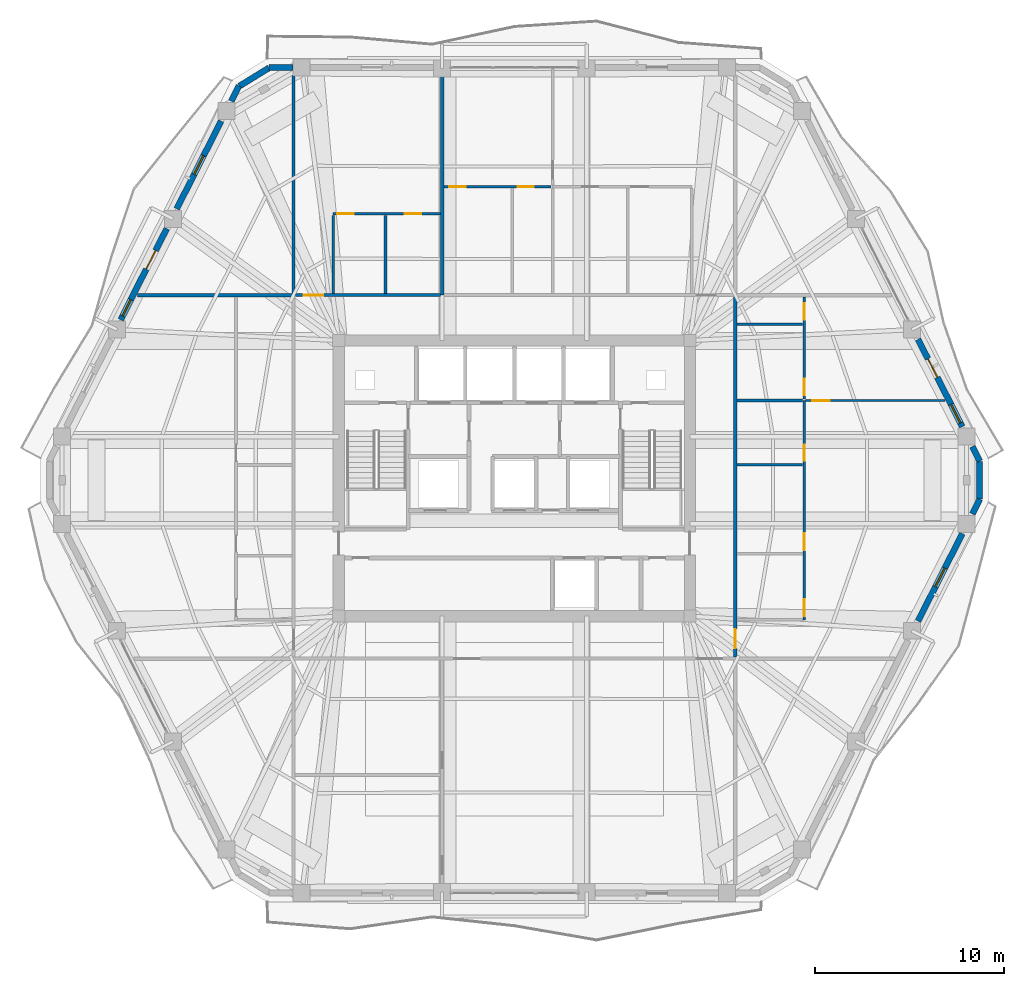
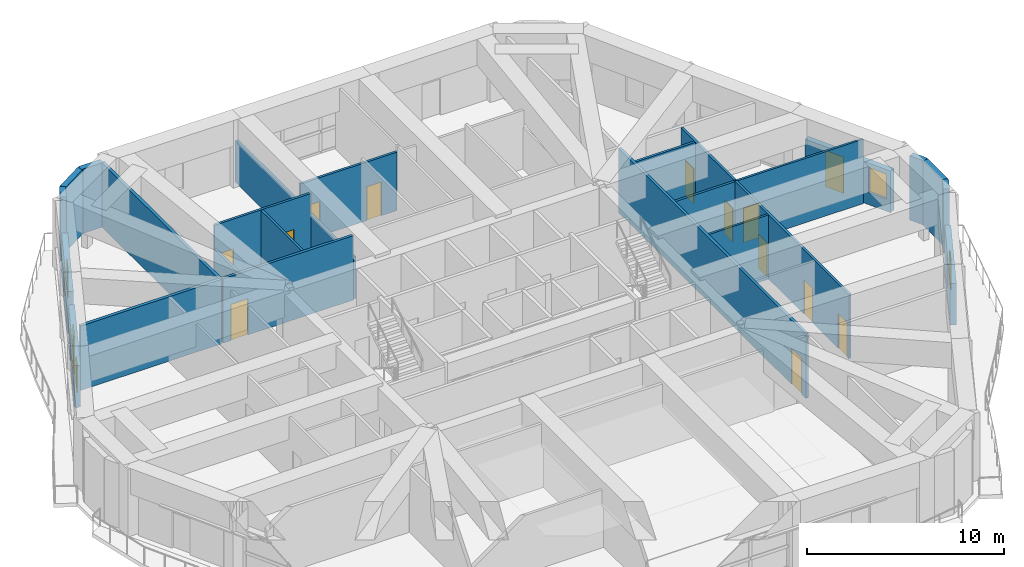
# One storey, part 15 of 20: 25 walls, 14 doors, 4 windows, 18 openings.
"""IFC4 building model written with IfcOpenShell, lengths in metres."""

from ifc_helpers import new_model, si_unit, direction, frame, frame_2d, origin, place, context, subcontext, project, spatial, rectangle, extrude, material, layer, layer_set, type_object, element, fill, save


model = new_model("IFC4")

# Units and contexts
model_context = context("Model", 3, precision=1e-05, world=origin(), true_north=direction((0.0, 1.0)))
body_context = subcontext(model_context, "Body", "Model", "MODEL_VIEW")
ifc_project = project(units=[si_unit("LENGTHUNIT", "METRE"), si_unit("AREAUNIT", "SQUARE_METRE"), si_unit("VOLUMEUNIT", "CUBIC_METRE"), si_unit("PLANEANGLEUNIT", "RADIAN"), si_unit("MASSUNIT", "GRAM", prefix="KILO")], contexts=[model_context])

# Site, building, storey
site_placement = place(None, origin())
site = spatial("IfcSite", under=ifc_project, at=site_placement, CompositionType="ELEMENT")
building_placement = place(site_placement, origin())
building = spatial("IfcBuilding", under=site, at=building_placement, Name="Cinnabar Lancet Tower", CompositionType="ELEMENT")
storey_placement = place(building_placement, frame((0.0, 0.0, 167.699951171875)))
storey = spatial("IfcBuildingStorey", under=building, at=storey_placement, Name="L44", CompositionType="ELEMENT", Elevation=167.699951171875)

# Wall, opening, door
ifc_material_1 = material(Name="Acoustic twin-stud gypsum partition", Category="gypsum")
ifc_layer_1 = layer(ifc_material_1, 0.159912109375)
ifc_layer_set_1 = layer_set([ifc_layer_1], Name="Acoustic twin-stud gypsum partition")
wall_type_1 = type_object("IfcWallType", Name="ARC-WL-CORR-160", PredefinedType="PARTITIONING", material=ifc_layer_set_1)
wall_1_placement = place(storey_placement, frame((20.794921875, 35.60009765625, 0.0), z_axis=(0.0, 0.0, 1.0), x_axis=(1.0, 0.0, 0.0)))
wall_1 = element("IfcWall", 1, at=wall_1_placement, inside=storey, type_object=wall_type_1, Name="L44 Unit N01 Corridor Wall", PredefinedType="PARTITIONING", context=body_context, shape_type="SweptSolid", body=[
    extrude(rectangle(XDim=7.677978515625, YDim=0.159912109375, at=frame_2d((3.8388671875, 0.0))), origin(), (0.0, 0.0, 1.0), 4.0),
])
opening_1_placement = place(wall_1_placement, frame((0.455078125, 0.0, 0.0)))
opening_1 = element("IfcOpeningElement", 2, at=opening_1_placement, cuts=wall_1, Name="Opening UD-01", PredefinedType="OPENING", context=body_context, shape_type="SweptSolid", body=[
    extrude(rectangle(XDim=1.02001953125, YDim=2.25, at=frame_2d((0.510009765625, 1.125))), frame((0.0, 0.08984375, 0.0), z_axis=(0.0, -1.0, 0.0), x_axis=(1.0, 0.0, 0.0)), (0.0, 0.0, 1.0), 0.179931640625),
])
ifc_material_2 = material(Name="Solid timber fire-rated apartment entrance door", Category="wood")
door_type_1 = type_object("IfcDoorType", Name="ARC-DR-UNIT", OperationType="NOTDEFINED", PredefinedType="DOOR", material=ifc_material_2)
door_1_placement = place(opening_1_placement, origin())
door_1 = element("IfcDoor", 3, at=door_1_placement, inside=storey, type_object=door_type_1, Name="DR-L44-N01-ENT", OperationType="SINGLE_SWING_LEFT", OverallHeight=2.25, OverallWidth=1.02001953125, PredefinedType="DOOR", context=body_context, shape_type="SweptSolid", body=[
    extrude(rectangle(XDim=1.02001953125, YDim=2.25, at=frame_2d((0.510009765625, 1.125))), frame((0.0, 0.02490234375, 0.0), z_axis=(0.0, -1.0, 0.0), x_axis=(1.0, 0.0, 0.0)), (0.0, 0.0, 1.0), 0.050048828125),
])
fill(opening_1, door_1)

wall_2_placement = place(storey_placement, frame((44.10009765625, 16.445068359375, 0.0), z_axis=(0.0, 0.0, 1.0), x_axis=(0.0, 1.0, 0.0)))
wall_2 = element("IfcWall", 4, at=wall_2_placement, inside=storey, type_object=wall_type_1, Name="UW-L44-E01-COR", PredefinedType="PARTITIONING", context=body_context, shape_type="SweptSolid", body=[
    extrude(rectangle(XDim=19.059814453125, YDim=0.159912109375, at=frame_2d((9.52978515625, 0.0))), origin(), (0.0, 0.0, 1.0), 4.0),
])
opening_2_placement = place(wall_2_placement, frame((0.449951171875, 0.0, 0.0)))
opening_2 = element("IfcOpeningElement", 5, at=opening_2_placement, cuts=wall_2, Name="Opening UD-01", PredefinedType="OPENING", context=body_context, shape_type="SweptSolid", body=[
    extrude(rectangle(XDim=1.02001953125, YDim=2.25, at=frame_2d((0.510009765625, 1.125))), frame((0.0, 0.08984375, 0.0), z_axis=(0.0, -1.0, 0.0), x_axis=(1.0, 0.0, 0.0)), (0.0, 0.0, 1.0), 0.179931640625),
])
door_2_placement = place(opening_2_placement, origin())
door_2 = element("IfcDoor", 6, at=door_2_placement, inside=storey, type_object=door_type_1, Name="DR-L44-E01-ENT", OperationType="SINGLE_SWING_RIGHT", OverallHeight=2.25, OverallWidth=1.02001953125, PredefinedType="DOOR", context=body_context, shape_type="SweptSolid", body=[
    extrude(rectangle(XDim=1.02001953125, YDim=2.25, at=frame_2d((0.510009765625, 1.125))), frame((0.0, 0.02490234375, 0.0), z_axis=(0.0, -1.0, 0.0), x_axis=(1.0, 0.0, 0.0)), (0.0, 0.0, 1.0), 0.050048828125),
])
fill(opening_2, door_2)

# Walls
ifc_material_3 = material(Name="Fire-rated twin-frame acoustic drywall", Category="gypsum")
ifc_layer_2 = layer(ifc_material_3, 0.179931640625)
ifc_layer_set_2 = layer_set([ifc_layer_2], Name="Fire-rated twin-frame acoustic drywall")
wall_type_2 = type_object("IfcWallType", Name="ARC-WL-PARTY-180", PredefinedType="PARTITIONING", material=ifc_layer_set_2)
wall_3_placement = place(storey_placement, frame((20.699951171875, 35.60009765625, 0.0), z_axis=(0.0, 0.0, 1.0), x_axis=(0.0, 1.0, 0.0)))
element("IfcWall", 7, at=wall_3_placement, inside=storey, type_object=wall_type_2, Name="PW-L44-NPTY-207", PredefinedType="PARTITIONING", context=body_context, shape_type="SweptSolid", body=[
    extrude(rectangle(XDim=11.98486328125, YDim=0.179931640625, at=frame_2d((5.992431640625, 0.0))), origin(), (0.0, 0.0, 1.0), 4.0),
])
wall_4_placement = place(storey_placement, frame((28.568115234375, 35.60009765625, 0.0), z_axis=(0.0, 0.0, 1.0), x_axis=(0.0, 1.0, 0.0)))
element("IfcWall", 8, at=wall_4_placement, inside=storey, type_object=wall_type_2, Name="PW-L44-NPTY-286", PredefinedType="PARTITIONING", context=body_context, shape_type="SweptSolid", body=[
    extrude(rectangle(XDim=11.98486328125, YDim=0.179931640625, at=frame_2d((5.992431640625, 0.0))), origin(), (0.0, 0.0, 1.0), 2.590087890625),
])
wall_5_placement = place(storey_placement, frame((12.427001953125, 35.60009765625, 0.0), z_axis=(0.0, 0.0, 1.0), x_axis=(1.0, 0.0, 0.0)))
element("IfcWall", 9, at=wall_5_placement, inside=storey, type_object=wall_type_2, Name="PW-L44-WNB", PredefinedType="PARTITIONING", context=body_context, shape_type="SweptSolid", body=[
    extrude(rectangle(XDim=8.27294921875, YDim=0.179931640625, at=frame_2d((4.136474609375, 0.0))), origin(), (0.0, 0.0, 1.0), 4.0),
])
ifc_material_4 = material(Name="Gypsum plasterboard stud partition", Category="gypsum")
ifc_layer_3 = layer(ifc_material_4, 0.125)
ifc_layer_set_3 = layer_set([ifc_layer_3], Name="Gypsum plasterboard stud partition")
wall_type_3 = type_object("IfcWallType", Name="ARC-WL-UNIT-125", PredefinedType="PARTITIONING", material=ifc_layer_set_3)
wall_6_placement = place(storey_placement, frame((22.800048828125, 35.68505859375, 0.0), z_axis=(0.0, 0.0, 1.0), x_axis=(0.0, 1.0, 0.0)))
element("IfcWall", 10, at=wall_6_placement, inside=storey, type_object=wall_type_3, Name="UW-L44-N01-FOYE", PredefinedType="PARTITIONING", context=body_context, shape_type="SweptSolid", body=[
    extrude(rectangle(XDim=4.125, YDim=0.125, at=frame_2d((2.0625, 0.0))), origin(), (0.0, 0.0, 1.0), 2.590087890625),
])

# Wall, opening, door
wall_7_placement = place(storey_placement, frame((47.824951171875, 30.02001953125, 0.0), z_axis=(0.0, 0.0, 1.0), x_axis=(1.0, 0.0, 0.0)))
wall_7 = element("IfcWall", 11, at=wall_7_placement, inside=storey, type_object=wall_type_3, Name="UW-L44-E01-MBN", PredefinedType="PARTITIONING", context=body_context, shape_type="SweptSolid", body=[
    extrude(rectangle(XDim=7.3759765625, YDim=0.125, at=frame_2d((3.68798828125, 0.0))), origin(), (0.0, 0.0, 1.0), 4.0),
])
opening_3_placement = place(wall_7_placement, frame((0.35009765625, 0.0, 0.0)))
opening_3 = element("IfcOpeningElement", 12, at=opening_3_placement, cuts=wall_7, Name="Opening RD-01", PredefinedType="OPENING", context=body_context, shape_type="SweptSolid", body=[
    extrude(rectangle(XDim=0.919921875, YDim=2.14990234375, at=frame_2d((0.4599609375, 1.074951171875))), frame((0.0, 0.072509765625, 0.0), z_axis=(0.0, -1.0, 0.0), x_axis=(1.0, 0.0, 0.0)), (0.0, 0.0, 1.0), 0.14501953125),
])
ifc_material_5 = material(Name="Engineered timber bedroom door", Category="wood")
door_type_2 = type_object("IfcDoorType", Name="ARC-DR-ROOM", OperationType="NOTDEFINED", PredefinedType="DOOR", material=ifc_material_5)
door_3_placement = place(opening_3_placement, origin())
door_3 = element("IfcDoor", 13, at=door_3_placement, inside=storey, type_object=door_type_2, Name="DR-L44-E01-MBD", OperationType="SINGLE_SWING_RIGHT", OverallHeight=2.14990234375, OverallWidth=0.919921875, PredefinedType="DOOR", context=body_context, shape_type="SweptSolid", body=[
    extrude(rectangle(XDim=0.919921875, YDim=2.14990234375, at=frame_2d((0.4599609375, 1.074951171875))), frame((0.0, 0.02490234375, 0.0), z_axis=(0.0, -1.0, 0.0), x_axis=(1.0, 0.0, 0.0)), (0.0, 0.0, 1.0), 0.050048828125),
])
fill(opening_3, door_3)

# Wall
wall_8_placement = place(storey_placement, frame((44.18505859375, 26.6201171875, 0.0), z_axis=(0.0, 0.0, 1.0), x_axis=(1.0, 0.0, 0.0)))
element("IfcWall", 14, at=wall_8_placement, inside=storey, type_object=wall_type_3, Name="UW-L44-E01-UDV", PredefinedType="PARTITIONING", context=body_context, shape_type="SweptSolid", body=[
    extrude(rectangle(XDim=3.47998046875, YDim=0.125, at=frame_2d((1.739990234375, 0.0))), origin(), (0.0, 0.0, 1.0), 4.0),
])

# Wall, openings, doors
ifc_material_6 = material(Name="Moisture-resistant cement-board plumbing wall", Category="masonry")
ifc_layer_4 = layer(ifc_material_6, 0.139892578125)
ifc_layer_set_4 = layer_set([ifc_layer_4], Name="Moisture-resistant cement-board plumbing wall")
wall_type_4 = type_object("IfcWallType", Name="ARC-WL-WET-140", PredefinedType="PLUMBINGWALL", material=ifc_layer_set_4)
wall_9_placement = place(storey_placement, frame((22.800048828125, 39.9150390625, 0.0), z_axis=(0.0, 0.0, 1.0), x_axis=(1.0, 0.0, 0.0)))
wall_9 = element("IfcWall", 15, at=wall_9_placement, inside=storey, type_object=wall_type_4, Name="UW-L44-N01-SPL", PredefinedType="PLUMBINGWALL", context=body_context, shape_type="SweptSolid", body=[
    extrude(rectangle(XDim=5.6728515625, YDim=0.139892578125, at=frame_2d((2.83642578125, 0.0))), origin(), (0.0, 0.0, 1.0), 4.0),
])
opening_4_placement = place(wall_9_placement, frame((3.7958984375, 0.0, 0.0)))
opening_4 = element("IfcOpeningElement", 16, at=opening_4_placement, cuts=wall_9, Name="Opening BD-01", PredefinedType="OPENING", context=body_context, shape_type="SweptSolid", body=[
    extrude(rectangle(XDim=0.860107421875, YDim=2.10009765625, at=frame_2d((0.43017578125, 1.050048828125))), frame((0.0, 0.079833984375, 0.0), z_axis=(0.0, -1.0, 0.0), x_axis=(1.0, 0.0, 0.0)), (0.0, 0.0, 1.0), 0.159912109375),
])
opening_5_placement = place(wall_9_placement, frame((0.219970703125, 0.0, 0.0)))
opening_5 = element("IfcOpeningElement", 17, at=opening_5_placement, cuts=wall_9, Name="Opening RD-02", PredefinedType="OPENING", context=body_context, shape_type="SweptSolid", body=[
    extrude(rectangle(XDim=0.8798828125, YDim=2.14990234375, at=frame_2d((0.43994140625, 1.074951171875))), frame((0.0, 0.079833984375, 0.0), z_axis=(0.0, -1.0, 0.0), x_axis=(1.0, 0.0, 0.0)), (0.0, 0.0, 1.0), 0.159912109375),
])
ifc_material_7 = material(Name="Moisture-resistant timber bathroom door", Category="wood")
door_type_3 = type_object("IfcDoorType", Name="ARC-DR-BATH", OperationType="NOTDEFINED", PredefinedType="DOOR", material=ifc_material_7)
door_4_placement = place(opening_4_placement, origin())
door_4 = element("IfcDoor", 18, at=door_4_placement, inside=storey, type_object=door_type_3, Name="DR-L44-N01-BTH", OperationType="SINGLE_SWING_LEFT", OverallHeight=2.10009765625, OverallWidth=0.860107421875, PredefinedType="DOOR", context=body_context, shape_type="SweptSolid", body=[
    extrude(rectangle(XDim=0.860107421875, YDim=2.10009765625, at=frame_2d((0.43017578125, 1.050048828125))), frame((0.0, 0.02490234375, 0.0), z_axis=(0.0, -1.0, 0.0), x_axis=(1.0, 0.0, 0.0)), (0.0, 0.0, 1.0), 0.050048828125),
])
fill(opening_4, door_4)
ifc_material_8 = material(Name="Engineered timber study door", Category="wood")
door_type_4 = type_object("IfcDoorType", Name="ARC-DR-STUDY", OperationType="NOTDEFINED", PredefinedType="DOOR", material=ifc_material_8)
door_5_placement = place(opening_5_placement, origin())
door_5 = element("IfcDoor", 19, at=door_5_placement, inside=storey, type_object=door_type_4, Name="DR-L44-N01-KIT", OperationType="SINGLE_SWING_RIGHT", OverallHeight=2.14990234375, OverallWidth=0.8798828125, PredefinedType="DOOR", context=body_context, shape_type="SweptSolid", body=[
    extrude(rectangle(XDim=0.8798828125, YDim=2.14990234375, at=frame_2d((0.43994140625, 1.074951171875))), frame((0.0, 0.02490234375, 0.0), z_axis=(0.0, -1.0, 0.0), x_axis=(1.0, 0.0, 0.0)), (0.0, 0.0, 1.0), 0.050048828125),
])
fill(opening_5, door_5)

# Wall
wall_10_placement = place(storey_placement, frame((25.569091796875, 35.68505859375, 0.0), z_axis=(0.0, 0.0, 1.0), x_axis=(0.0, 1.0, 0.0)))
element("IfcWall", 20, at=wall_10_placement, inside=storey, type_object=wall_type_4, Name="UW-L44-N01-KDV", PredefinedType="PLUMBINGWALL", context=body_context, shape_type="SweptSolid", body=[
    extrude(rectangle(XDim=4.125, YDim=0.139892578125, at=frame_2d((2.0625, 0.0))), origin(), (0.0, 0.0, 1.0), 4.0),
])

# Wall, openings, doors
wall_11_placement = place(storey_placement, frame((28.6630859375, 41.35302734375, 0.0), z_axis=(0.0, 0.0, 1.0), x_axis=(1.0, 0.0, 0.0)))
wall_11 = element("IfcWall", 21, at=wall_11_placement, inside=storey, type_object=wall_type_4, Name="UW-L44-N02-SPM", PredefinedType="PLUMBINGWALL", context=body_context, shape_type="SweptSolid", body=[
    extrude(rectangle(XDim=5.68701171875, YDim=0.139892578125, at=frame_2d((2.843505859375, 0.0))), origin(), (0.0, 0.0, 1.0), 3.635009765625),
])
opening_6_placement = place(wall_11_placement, frame((0.280029296875, 0.0, 0.0)))
opening_6 = element("IfcOpeningElement", 22, at=opening_6_placement, cuts=wall_11, Name="Opening RD-02", PredefinedType="OPENING", context=body_context, shape_type="SweptSolid", body=[
    extrude(rectangle(XDim=0.8798828125, YDim=2.14990234375, at=frame_2d((0.43994140625, 1.074951171875))), frame((0.0, 0.079833984375, 0.0), z_axis=(0.0, -1.0, 0.0), x_axis=(1.0, 0.0, 0.0)), (0.0, 0.0, 1.0), 0.159912109375),
])
opening_7_placement = place(wall_11_placement, frame((3.910888671875, 0.0, 0.0)))
opening_7 = element("IfcOpeningElement", 23, at=opening_7_placement, cuts=wall_11, Name="Opening BD-01", PredefinedType="OPENING", context=body_context, shape_type="SweptSolid", body=[
    extrude(rectangle(XDim=0.860107421875, YDim=2.10009765625, at=frame_2d((0.43017578125, 1.050048828125))), frame((0.0, 0.079833984375, 0.0), z_axis=(0.0, -1.0, 0.0), x_axis=(1.0, 0.0, 0.0)), (0.0, 0.0, 1.0), 0.159912109375),
])
door_6_placement = place(opening_7_placement, origin())
door_6 = element("IfcDoor", 24, at=door_6_placement, inside=storey, type_object=door_type_3, Name="DR-L44-N02-ENS", OperationType="SINGLE_SWING_LEFT", OverallHeight=2.10009765625, OverallWidth=0.860107421875, PredefinedType="DOOR", context=body_context, shape_type="SweptSolid", body=[
    extrude(rectangle(XDim=0.860107421875, YDim=2.10009765625, at=frame_2d((0.43017578125, 1.050048828125))), frame((0.0, 0.02490234375, 0.0), z_axis=(0.0, -1.0, 0.0), x_axis=(1.0, 0.0, 0.0)), (0.0, 0.0, 1.0), 0.050048828125),
])
fill(opening_7, door_6)
door_7_placement = place(opening_6_placement, origin())
door_7 = element("IfcDoor", 25, at=door_7_placement, inside=storey, type_object=door_type_4, Name="DR-L44-N02-ENS-WDR", OperationType="SINGLE_SWING_RIGHT", OverallHeight=2.14990234375, OverallWidth=0.8798828125, PredefinedType="DOOR", context=body_context, shape_type="SweptSolid", body=[
    extrude(rectangle(XDim=0.8798828125, YDim=2.14990234375, at=frame_2d((0.43994140625, 1.074951171875))), frame((0.0, 0.02490234375, 0.0), z_axis=(0.0, -1.0, 0.0), x_axis=(1.0, 0.0, 0.0)), (0.0, 0.0, 1.0), 0.050048828125),
])
fill(opening_6, door_7)

wall_12_placement = place(storey_placement, frame((47.75, 18.39990234375, 0.0), z_axis=(0.0, 0.0, 1.0), x_axis=(0.0, 1.0, 0.0)))
wall_12 = element("IfcWall", 26, at=wall_12_placement, inside=storey, type_object=wall_type_4, Name="UW-L44-E01-SPL", PredefinedType="PLUMBINGWALL", context=body_context, shape_type="SweptSolid", body=[
    extrude(rectangle(XDim=11.6201171875, YDim=0.139892578125, at=frame_2d((5.81005859375, 0.0))), origin(), (0.0, 0.0, 1.0), 4.0),
])
opening_8_placement = place(wall_12_placement, frame((0.199951171875, 0.0, 0.0)))
opening_8 = element("IfcOpeningElement", 27, at=opening_8_placement, cuts=wall_12, Name="Opening RD-02", PredefinedType="OPENING", context=body_context, shape_type="SweptSolid", body=[
    extrude(rectangle(XDim=0.8798828125, YDim=2.14990234375, at=frame_2d((0.43994140625, 1.074951171875))), frame((0.0, 0.079833984375, 0.0), z_axis=(0.0, -1.0, 0.0), x_axis=(1.0, 0.0, 0.0)), (0.0, 0.0, 1.0), 0.159912109375),
])
opening_9_placement = place(wall_12_placement, frame((3.699951171875, 0.0, 0.0)))
opening_9 = element("IfcOpeningElement", 28, at=opening_9_placement, cuts=wall_12, Name="Opening RD-02", PredefinedType="OPENING", context=body_context, shape_type="SweptSolid", body=[
    extrude(rectangle(XDim=0.8798828125, YDim=2.14990234375, at=frame_2d((0.43994140625, 1.074951171875))), frame((0.0, 0.079833984375, 0.0), z_axis=(0.0, -1.0, 0.0), x_axis=(1.0, 0.0, 0.0)), (0.0, 0.0, 1.0), 0.159912109375),
])
opening_10_placement = place(wall_12_placement, frame((8.419921875, 0.0, 0.0)))
opening_10 = element("IfcOpeningElement", 29, at=opening_10_placement, cuts=wall_12, Name="Opening BD-01", PredefinedType="OPENING", context=body_context, shape_type="SweptSolid", body=[
    extrude(rectangle(XDim=0.860107421875, YDim=2.10009765625, at=frame_2d((0.43017578125, 1.050048828125))), frame((0.0, 0.079833984375, 0.0), z_axis=(0.0, -1.0, 0.0), x_axis=(1.0, 0.0, 0.0)), (0.0, 0.0, 1.0), 0.159912109375),
])
door_8_placement = place(opening_10_placement, origin())
door_8 = element("IfcDoor", 30, at=door_8_placement, inside=storey, type_object=door_type_3, Name="DR-L44-E01-BTH", OperationType="SINGLE_SWING_LEFT", OverallHeight=2.10009765625, OverallWidth=0.860107421875, PredefinedType="DOOR", context=body_context, shape_type="SweptSolid", body=[
    extrude(rectangle(XDim=0.860107421875, YDim=2.10009765625, at=frame_2d((0.43017578125, 1.050048828125))), frame((0.0, 0.02490234375, 0.0), z_axis=(0.0, -1.0, 0.0), x_axis=(1.0, 0.0, 0.0)), (0.0, 0.0, 1.0), 0.050048828125),
])
fill(opening_10, door_8)
door_9_placement = place(opening_8_placement, origin())
door_9 = element("IfcDoor", 31, at=door_9_placement, inside=storey, type_object=door_type_4, Name="DR-L44-E01-KIT", OperationType="SINGLE_SWING_LEFT", OverallHeight=2.14990234375, OverallWidth=0.8798828125, PredefinedType="DOOR", context=body_context, shape_type="SweptSolid", body=[
    extrude(rectangle(XDim=0.8798828125, YDim=2.14990234375, at=frame_2d((0.43994140625, 1.074951171875))), frame((0.0, 0.02490234375, 0.0), z_axis=(0.0, -1.0, 0.0), x_axis=(1.0, 0.0, 0.0)), (0.0, 0.0, 1.0), 0.050048828125),
])
fill(opening_8, door_9)
door_10_placement = place(opening_9_placement, origin())
door_10 = element("IfcDoor", 32, at=door_10_placement, inside=storey, type_object=door_type_4, Name="DR-L44-E01-UTL", OperationType="SINGLE_SWING_RIGHT", OverallHeight=2.14990234375, OverallWidth=0.8798828125, PredefinedType="DOOR", context=body_context, shape_type="SweptSolid", body=[
    extrude(rectangle(XDim=0.8798828125, YDim=2.14990234375, at=frame_2d((0.43994140625, 1.074951171875))), frame((0.0, 0.02490234375, 0.0), z_axis=(0.0, -1.0, 0.0), x_axis=(1.0, 0.0, 0.0)), (0.0, 0.0, 1.0), 0.050048828125),
])
fill(opening_9, door_10)

wall_13_placement = place(storey_placement, frame((47.75, 30.090087890625, 0.0), z_axis=(0.0, 0.0, 1.0), x_axis=(0.0, 1.0, 0.0)))
wall_13 = element("IfcWall", 33, at=wall_13_placement, inside=storey, type_object=wall_type_4, Name="UW-L44-E01-SPM", PredefinedType="PLUMBINGWALL", context=body_context, shape_type="SweptSolid", body=[
    extrude(rectangle(XDim=5.414794921875, YDim=0.139892578125, at=frame_2d((2.70751953125, 0.0))), origin(), (0.0, 0.0, 1.0), 4.0),
])
opening_11_placement = place(wall_13_placement, frame((0.219970703125, 0.0, 0.0)))
opening_11 = element("IfcOpeningElement", 34, at=opening_11_placement, cuts=wall_13, Name="Opening BD-01", PredefinedType="OPENING", context=body_context, shape_type="SweptSolid", body=[
    extrude(rectangle(XDim=0.860107421875, YDim=2.10009765625, at=frame_2d((0.43017578125, 1.050048828125))), frame((0.0, 0.079833984375, 0.0), z_axis=(0.0, -1.0, 0.0), x_axis=(1.0, 0.0, 0.0)), (0.0, 0.0, 1.0), 0.159912109375),
])
opening_12_placement = place(wall_13_placement, frame((4.197021484375, 0.0, 0.0)))
opening_12 = element("IfcOpeningElement", 35, at=opening_12_placement, cuts=wall_13, Name="Opening RD-02", PredefinedType="OPENING", context=body_context, shape_type="SweptSolid", body=[
    extrude(rectangle(XDim=0.8798828125, YDim=2.14990234375, at=frame_2d((0.43994140625, 1.074951171875))), frame((0.0, 0.079833984375, 0.0), z_axis=(0.0, -1.0, 0.0), x_axis=(1.0, 0.0, 0.0)), (0.0, 0.0, 1.0), 0.159912109375),
])
door_11_placement = place(opening_11_placement, origin())
door_11 = element("IfcDoor", 36, at=door_11_placement, inside=storey, type_object=door_type_3, Name="DR-L44-E01-ENS", OperationType="SINGLE_SWING_RIGHT", OverallHeight=2.10009765625, OverallWidth=0.860107421875, PredefinedType="DOOR", context=body_context, shape_type="SweptSolid", body=[
    extrude(rectangle(XDim=0.860107421875, YDim=2.10009765625, at=frame_2d((0.43017578125, 1.050048828125))), frame((0.0, 0.02490234375, 0.0), z_axis=(0.0, -1.0, 0.0), x_axis=(1.0, 0.0, 0.0)), (0.0, 0.0, 1.0), 0.050048828125),
])
fill(opening_11, door_11)
door_12_placement = place(opening_12_placement, origin())
door_12 = element("IfcDoor", 37, at=door_12_placement, inside=storey, type_object=door_type_4, Name="DR-L44-E01-EWDR", OperationType="SINGLE_SWING_LEFT", OverallHeight=2.14990234375, OverallWidth=0.8798828125, PredefinedType="DOOR", context=body_context, shape_type="SweptSolid", body=[
    extrude(rectangle(XDim=0.8798828125, YDim=2.14990234375, at=frame_2d((0.43994140625, 1.074951171875))), frame((0.0, 0.02490234375, 0.0), z_axis=(0.0, -1.0, 0.0), x_axis=(1.0, 0.0, 0.0)), (0.0, 0.0, 1.0), 0.050048828125),
])
fill(opening_12, door_12)

# Walls
for number, where, z_axis, x_axis, name in (
    (38, (44.18505859375, 30.02001953125, 0.0), (0.0, 0.0, 1.0), (1.0, 0.0, 0.0), "UW-L44-E01-ENSN"),
    (39, (44.18505859375, 34.06689453125, 0.0), (0.0, 0.0, 1.0), (1.0, 0.0, 0.0), "UW-L44-E01-EWDV"),
):
    element("IfcWall", number, at=place(storey_placement, frame(where, z_axis=z_axis, x_axis=x_axis)), inside=storey, type_object=wall_type_4, Name=name, PredefinedType="PLUMBINGWALL", context=body_context, shape_type="SweptSolid", body=[
        extrude(rectangle(XDim=3.47998046875, YDim=0.139892578125, at=frame_2d((1.739990234375, 0.0))), origin(), (0.0, 0.0, 1.0), 4.0),
    ])
ifc_material_9 = material(Name="Warm buff clay brick", Category="masonry")
ifc_layer_5 = layer(ifc_material_9, 0.320068359375)
ifc_layer_set_5 = layer_set([ifc_layer_5], Name="Warm buff clay brick")
wall_type_5 = type_object("IfcWallType", Name="ENV-WL-BRK-BUF-320", PredefinedType="STANDARD", material=ifc_layer_set_5)
wall_14_placement = place(storey_placement, frame((57.032958984375, 24.801025390625, 0.0), z_axis=(0.0, 0.0, 1.0), x_axis=(0.0, 1.0, 0.0)))
element("IfcWall", 40, at=wall_14_placement, inside=storey, type_object=wall_type_5, Name="L44 Chamfered Corner Brick Pier 3.1", PredefinedType="STANDARD", context=body_context, shape_type="SweptSolid", body=[
    extrude(rectangle(XDim=1.998046875, YDim=0.320068359375, at=frame_2d((0.9990234375, 0.0))), origin(), (0.0, 0.0, 1.0), 4.0),
])
wall_15_placement = place(storey_placement, frame((19.405029296875, 47.64599609375, 0.0), z_axis=(0.0, 0.0, 1.0), x_axis=(-0.851943281993, -0.523634074777, 0.0)))
element("IfcWall", 41, at=wall_15_placement, inside=storey, type_object=wall_type_5, Name="L44 Chamfered Corner Brick Pier 5.1", PredefinedType="STANDARD", context=body_context, shape_type="SweptSolid", body=[
    extrude(rectangle(XDim=1.852294921875, YDim=0.320068359375, at=frame_2d((0.92626953125, 0.0))), origin(), (0.0, 0.0, 1.0), 4.0),
])

# Wall, opening, window
wall_16_placement = place(storey_placement, frame((53.785888671875, 18.337890625, 0.0), z_axis=(0.0, 0.0, 1.0), x_axis=(0.451595655361, 0.892222709899, 0.0)))
wall_16 = element("IfcWall", 42, at=wall_16_placement, inside=storey, type_object=wall_type_5, Name="L44 Face 2 Masonry Bay Wall 4", PredefinedType="STANDARD", context=body_context, shape_type="SweptSolid", body=[
    extrude(rectangle(XDim=5.18603515625, YDim=0.320068359375, at=frame_2d((2.593017578125, 0.0))), origin(), (0.0, 0.0, 1.0), 2.590087890625),
])
opening_13_placement = place(wall_16_placement, frame((2.04296875, 0.0, 0.75)))
opening_13 = element("IfcOpeningElement", 43, at=opening_13_placement, cuts=wall_16, Name="Opening WN-04", PredefinedType="OPENING", context=body_context, shape_type="SweptSolid", body=[
    extrude(rectangle(XDim=1.10009765625, YDim=1.68994140625, at=frame_2d((0.550048828125, 0.844970703125))), frame((0.0, 0.169921875, 0.0), z_axis=(0.0, -1.0, 0.0), x_axis=(1.0, 0.0, 0.0)), (0.0, 0.0, 1.0), 0.340087890625),
])
ifc_material_10 = material(Name="Thermally broken bronze-anodized aluminium tall lancet window", Category="aluminium")
window_type = type_object("IfcWindowType", Name="ENV-WN-LANCET-1100", PartitioningType="SINGLE_PANEL", PredefinedType="WINDOW", material=ifc_material_10)
window_1_placement = place(opening_13_placement, origin())
window_1 = element("IfcWindow", 44, at=window_1_placement, inside=storey, type_object=window_type, Name="L44 Face 2 Gothic Lancet Window 4", OverallHeight=1.68994140625, OverallWidth=1.10009765625, PartitioningType="SINGLE_PANEL", PredefinedType="WINDOW", context=body_context, shape_type="SweptSolid", body=[
    extrude(rectangle(XDim=1.10009765625, YDim=1.68994140625, at=frame_2d((0.550048828125, 0.844970703125))), frame((0.0, 0.030029296875, 0.0), z_axis=(0.0, -1.0, 0.0), x_axis=(1.0, 0.0, 0.0)), (0.0, 0.0, 1.0), 0.06005859375),
])
fill(opening_13, window_1)

# Walls
wall_17_placement = place(storey_placement, frame((56.659912109375, 24.01708984375, 0.0), z_axis=(0.0, 0.0, 1.0), x_axis=(0.451470851004, 0.892285868258, 0.0)))
element("IfcWall", 45, at=wall_17_placement, inside=storey, type_object=wall_type_5, Name="L44 Face 2 Masonry Bay Wall 5", PredefinedType="STANDARD", context=body_context, shape_type="SweptSolid", body=[
    extrude(rectangle(XDim=0.87060546875, YDim=0.320068359375, at=frame_2d((0.435302734375, 0.0))), origin(), (0.0, 0.0, 1.0), 4.0),
])
wall_18_placement = place(storey_placement, frame((57.052978515625, 26.805908203125, 0.0), z_axis=(0.0, 0.0, 1.0), x_axis=(-0.451357912295, 0.892343003003, 0.0)))
element("IfcWall", 46, at=wall_18_placement, inside=storey, type_object=wall_type_5, Name="L44 Face 3 Masonry Bay Wall 1", PredefinedType="STANDARD", context=body_context, shape_type="SweptSolid", body=[
    extrude(rectangle(XDim=0.870849609375, YDim=0.320068359375, at=frame_2d((0.435546875, 0.0))), origin(), (0.0, 0.0, 1.0), 4.0),
])

# Wall, openings, door, window
wall_19_placement = place(storey_placement, frame((56.1279296875, 28.635009765625, 0.0), z_axis=(0.0, 0.0, 1.0), x_axis=(-0.451614623916, 0.892213108772, 0.0)))
wall_19 = element("IfcWall", 47, at=wall_19_placement, inside=storey, type_object=wall_type_5, Name="L44 Face 3 Masonry Bay Wall 2", PredefinedType="STANDARD", context=body_context, shape_type="SweptSolid", body=[
    extrude(rectangle(XDim=5.18603515625, YDim=0.320068359375, at=frame_2d((2.593017578125, 0.0))), origin(), (0.0, 0.0, 1.0), 2.590087890625),
])
opening_14_placement = place(wall_19_placement, frame((2.925048828125, 0.0, 0.0)))
opening_14 = element("IfcOpeningElement", 48, at=opening_14_placement, cuts=wall_19, Name="Opening TD-01", PredefinedType="OPENING", context=body_context, shape_type="SweptSolid", body=[
    extrude(rectangle(XDim=1.10009765625, YDim=2.25, at=frame_2d((0.550048828125, 1.125))), frame((0.0, 0.169921875, 0.0), z_axis=(0.0, -1.0, 0.0), x_axis=(1.0, 0.0, 0.0)), (0.0, 0.0, 1.0), 0.340087890625),
])
opening_15_placement = place(wall_19_placement, frame((0.219970703125, 0.0, 0.75)))
opening_15 = element("IfcOpeningElement", 49, at=opening_15_placement, cuts=wall_19, Name="Opening WN-04", PredefinedType="OPENING", context=body_context, shape_type="SweptSolid", body=[
    extrude(rectangle(XDim=1.093994140625, YDim=1.56005859375, at=frame_2d((0.546875, 0.780029296875))), frame((0.0, 0.169921875, 0.0), z_axis=(0.0, -1.0, 0.0), x_axis=(1.0, 0.0, 0.0)), (0.0, 0.0, 1.0), 0.340087890625),
])
ifc_material_11 = material(Name="Thermally broken low-E glazed balcony terrace door", Category="wood")
door_type_5 = type_object("IfcDoorType", Name="ARC-DR-BALC", OperationType="NOTDEFINED", PredefinedType="DOOR", material=ifc_material_11)
door_13_placement = place(opening_14_placement, origin())
door_13 = element("IfcDoor", 50, at=door_13_placement, inside=storey, type_object=door_type_5, Name="L44 Face 3 Glazed Terrace Door", OperationType="SINGLE_SWING_LEFT", OverallHeight=2.25, OverallWidth=1.10009765625, PredefinedType="DOOR", context=body_context, shape_type="SweptSolid", body=[
    extrude(rectangle(XDim=1.10009765625, YDim=2.25, at=frame_2d((0.550048828125, 1.125))), frame((0.0, 0.02490234375, 0.0), z_axis=(0.0, -1.0, 0.0), x_axis=(1.0, 0.0, 0.0)), (0.0, 0.0, 1.0), 0.050048828125),
])
fill(opening_14, door_13)
window_2_placement = place(opening_15_placement, origin())
window_2 = element("IfcWindow", 51, at=window_2_placement, inside=storey, type_object=window_type, Name="L44 Split-Bay Gothic Lancet Window 126", OverallHeight=1.56005859375, OverallWidth=1.093994140625, PartitioningType="SINGLE_PANEL", PredefinedType="WINDOW", context=body_context, shape_type="SweptSolid", body=[
    extrude(rectangle(XDim=1.093994140625, YDim=1.56005859375, at=frame_2d((0.546875, 0.780029296875))), frame((0.0, 0.030029296875, 0.0), z_axis=(0.0, -1.0, 0.0), x_axis=(1.0, 0.0, 0.0)), (0.0, 0.0, 1.0), 0.06005859375),
])
fill(opening_15, window_2)

# Walls
wall_20_placement = place(storey_placement, frame((20.677001953125, 47.669921875, 0.0), z_axis=(0.0, 0.0, 1.0), x_axis=(-1.0, 0.0, 0.0)))
element("IfcWall", 52, at=wall_20_placement, inside=storey, type_object=wall_type_5, Name="L44 Face 4 Masonry Bay Wall 5", PredefinedType="STANDARD", context=body_context, shape_type="SweptSolid", body=[
    extrude(rectangle(XDim=1.277099609375, YDim=0.320068359375, at=frame_2d((0.638671875, 0.0))), origin(), (0.0, 0.0, 1.0), 4.0),
])
wall_21_placement = place(storey_placement, frame((17.80810546875, 46.69091796875, 0.0), z_axis=(0.0, 0.0, 1.0), x_axis=(-0.451292054135, -0.892376311807, 0.0)))
element("IfcWall", 53, at=wall_21_placement, inside=storey, type_object=wall_type_5, Name="L44 Face 5 Masonry Bay Wall 1", PredefinedType="STANDARD", context=body_context, shape_type="SweptSolid", body=[
    extrude(rectangle(XDim=0.908935546875, YDim=0.320068359375, at=frame_2d((0.45458984375, 0.0))), origin(), (0.0, 0.0, 1.0), 4.0),
])

# Wall, opening, window
wall_22_placement = place(storey_placement, frame((16.864990234375, 44.827880859375, 0.0), z_axis=(0.0, 0.0, 1.0), x_axis=(-0.451418764337, -0.892312220697, 0.0)))
wall_22 = element("IfcWall", 54, at=wall_22_placement, inside=storey, type_object=wall_type_5, Name="L44 Face 5 Masonry Bay Wall 2", PredefinedType="STANDARD", context=body_context, shape_type="SweptSolid", body=[
    extrude(rectangle(XDim=5.218994140625, YDim=0.320068359375, at=frame_2d((2.609375, 0.0))), origin(), (0.0, 0.0, 1.0), 2.590087890625),
])
opening_16_placement = place(wall_22_placement, frame((2.06005859375, 0.0, 0.75)))
opening_16 = element("IfcOpeningElement", 55, at=opening_16_placement, cuts=wall_22, Name="Opening WN-04", PredefinedType="OPENING", context=body_context, shape_type="SweptSolid", body=[
    extrude(rectangle(XDim=1.10009765625, YDim=1.68994140625, at=frame_2d((0.550048828125, 0.844970703125))), frame((0.0, 0.169921875, 0.0), z_axis=(0.0, -1.0, 0.0), x_axis=(1.0, 0.0, 0.0)), (0.0, 0.0, 1.0), 0.340087890625),
])
window_3_placement = place(opening_16_placement, origin())
window_3 = element("IfcWindow", 56, at=window_3_placement, inside=storey, type_object=window_type, Name="L44 Face 5 Gothic Lancet Window 2", OverallHeight=1.68994140625, OverallWidth=1.10009765625, PartitioningType="SINGLE_PANEL", PredefinedType="WINDOW", context=body_context, shape_type="SweptSolid", body=[
    extrude(rectangle(XDim=1.10009765625, YDim=1.68994140625, at=frame_2d((0.550048828125, 0.844970703125))), frame((0.0, 0.030029296875, 0.0), z_axis=(0.0, -1.0, 0.0), x_axis=(1.0, 0.0, 0.0)), (0.0, 0.0, 1.0), 0.06005859375),
])
fill(opening_16, window_3)

# Wall, openings, door, window
wall_23_placement = place(storey_placement, frame((13.98193359375, 39.12890625, 0.0), z_axis=(0.0, 0.0, 1.0), x_axis=(-0.451414996529, -0.892314126812, 0.0)))
wall_23 = element("IfcWall", 57, at=wall_23_placement, inside=storey, type_object=wall_type_5, Name="L44 Face 5 Masonry Bay Wall 3", PredefinedType="STANDARD", context=body_context, shape_type="SweptSolid", body=[
    extrude(rectangle(XDim=5.409423828125, YDim=0.320068359375, at=frame_2d((2.70458984375, 0.0))), origin(), (0.0, 0.0, 1.0), 2.590087890625),
])
opening_17_placement = place(wall_23_placement, frame((1.304931640625, 0.0, 0.0)))
opening_17 = element("IfcOpeningElement", 58, at=opening_17_placement, cuts=wall_23, Name="Opening TD-01", PredefinedType="OPENING", context=body_context, shape_type="SweptSolid", body=[
    extrude(rectangle(XDim=1.10009765625, YDim=2.25, at=frame_2d((0.550048828125, 1.125))), frame((0.0, 0.169921875, 0.0), z_axis=(0.0, -1.0, 0.0), x_axis=(1.0, 0.0, 0.0)), (0.0, 0.0, 1.0), 0.340087890625),
])
opening_18_placement = place(wall_23_placement, frame((4.221923828125, 0.0, 0.75)))
opening_18 = element("IfcOpeningElement", 59, at=opening_18_placement, cuts=wall_23, Name="Opening WN-04", PredefinedType="OPENING", context=body_context, shape_type="SweptSolid", body=[
    extrude(rectangle(XDim=0.968017578125, YDim=1.56005859375, at=frame_2d((0.48388671875, 0.780029296875))), frame((0.0, 0.169921875, 0.0), z_axis=(0.0, -1.0, 0.0), x_axis=(1.0, 0.0, 0.0)), (0.0, 0.0, 1.0), 0.340087890625),
])
door_14_placement = place(opening_17_placement, origin())
door_14 = element("IfcDoor", 60, at=door_14_placement, inside=storey, type_object=door_type_5, Name="L44 Face 5 Glazed Terrace Door", OperationType="SINGLE_SWING_LEFT", OverallHeight=2.25, OverallWidth=1.10009765625, PredefinedType="DOOR", context=body_context, shape_type="SweptSolid", body=[
    extrude(rectangle(XDim=1.10009765625, YDim=2.25, at=frame_2d((0.550048828125, 1.125))), frame((0.0, 0.02490234375, 0.0), z_axis=(0.0, -1.0, 0.0), x_axis=(1.0, 0.0, 0.0)), (0.0, 0.0, 1.0), 0.050048828125),
])
fill(opening_17, door_14)
window_4_placement = place(opening_18_placement, origin())
window_4 = element("IfcWindow", 61, at=window_4_placement, inside=storey, type_object=window_type, Name="L44 Split-Bay Gothic Lancet Window 127", OverallHeight=1.56005859375, OverallWidth=0.968017578125, PartitioningType="SINGLE_PANEL", PredefinedType="WINDOW", context=body_context, shape_type="SweptSolid", body=[
    extrude(rectangle(XDim=0.968017578125, YDim=1.56005859375, at=frame_2d((0.48388671875, 0.780029296875))), frame((0.0, 0.030029296875, 0.0), z_axis=(0.0, -1.0, 0.0), x_axis=(1.0, 0.0, 0.0)), (0.0, 0.0, 1.0), 0.06005859375),
])
fill(opening_18, window_4)

save(model, "model.ifc")
